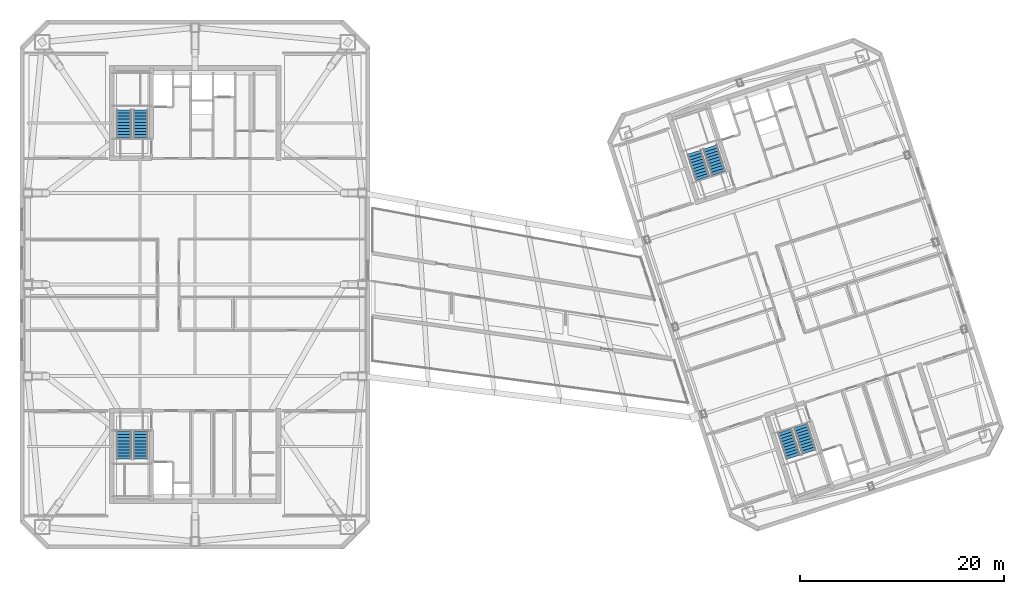
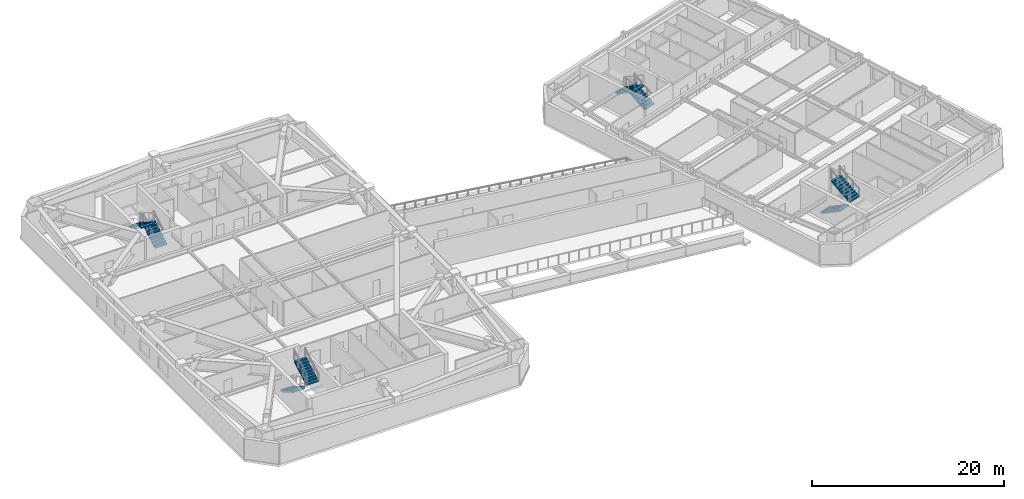
# One storey, part 12 of 18: 8 stair flights, 4 elements without a shape of their own.
"""IFC4 building model written with IfcOpenShell, lengths in metres."""

from ifc_helpers import new_model, si_unit, direction, frame, origin, place, context, subcontext, project, spatial, polyline, outline, extrude, material, type_object, element, aggregate, save


model = new_model("IFC4")

# Units and contexts
model_context = context("Model", 3, precision=1e-05, world=origin(), true_north=direction((0.0, 1.0)))
body_context = subcontext(model_context, "Body", "Model", "MODEL_VIEW")
ifc_project = project(units=[si_unit("LENGTHUNIT", "METRE"), si_unit("AREAUNIT", "SQUARE_METRE"), si_unit("VOLUMEUNIT", "CUBIC_METRE"), si_unit("PLANEANGLEUNIT", "RADIAN"), si_unit("MASSUNIT", "GRAM", prefix="KILO")], contexts=[model_context])

# Site, building, storey
site_placement = place(None, origin())
site = spatial("IfcSite", under=ifc_project, at=site_placement, CompositionType="ELEMENT")
building_placement = place(site_placement, origin())
building = spatial("IfcBuilding", under=site, at=building_placement, Name="Qiaolan Cultural Towers", CompositionType="ELEMENT")
storey_placement = place(building_placement, frame((0.0, 0.0, 219.64990234375)))
storey = spatial("IfcBuildingStorey", under=building, at=storey_placement, Name="L59", CompositionType="ELEMENT", Elevation=219.64990234375)

# Stair, stair flights
ifc_material_1 = material(Name="Concrete C45", Category="concrete")
stair_type = type_object("IfcStairType", Name="STR-CORE-1500", PredefinedType="HALF_TURN_STAIR", material=ifc_material_1)
stair_1_placement = place(storey_placement, origin())
stair_1 = element("IfcStair", 1, at=stair_1_placement, inside=storey, type_object=stair_type, Name="L59 Smokeproof Exit Stair ST-W1", PredefinedType="HALF_TURN_STAIR")
ifc_material_2 = material(Name="Concrete C45", Category="concrete")
stair_flight_type = type_object("IfcStairFlightType", Name="STR-CORE-1500-FL", PredefinedType="STRAIGHT", material=ifc_material_2)
stair_flight_1_placement = place(storey_placement, frame((23.02001953125, 19.550048828125, 0.0), z_axis=(0.0, 0.0, 1.0), x_axis=(0.0, -1.0, 0.0)))
stair_flight_1 = element("IfcStairFlight", 2, at=stair_flight_1_placement, type_object=stair_flight_type, Name="ST-W1 flight 1", NumberOfRisers=10, NumberOfTreads=9, PredefinedType="STRAIGHT", RiserHeight=0.1725, TreadLength=0.3, context=body_context, shape_type="SweptSolid", body=[
    extrude(outline(polyline([(0.0, 0.0), (0.0, 0.172607421875), (0.300048828125, 0.172607421875), (0.300048828125, 0.344970703125), (0.60009765625, 0.344970703125), (0.60009765625, 0.517578125), (0.89990234375, 0.517578125), (0.89990234375, 0.68994140625), (1.199951171875, 0.68994140625), (1.199951171875, 0.862548828125), (1.5, 0.862548828125), (1.5, 1.034912109375), (1.800048828125, 1.034912109375), (1.800048828125, 1.20751953125), (2.10009765625, 1.20751953125), (2.10009765625, 1.3798828125), (2.39990234375, 1.3798828125), (2.39990234375, 1.552490234375), (2.699951171875, 1.552490234375), (2.699951171875, 1.72509765625), (2.699951171875, 1.379638671875), (0.30078125, 0.0), (0.0, 0.0)])), frame((0.0, 0.719970703125, 0.0), z_axis=(0.0, -1.0, 0.0), x_axis=(1.0, 0.0, 0.0)), (0.0, 0.0, 1.0), 1.43994140625),
])
stair_flight_2_placement = place(storey_placement, frame((24.659912109375, 16.85009765625, 1.72509765625), z_axis=(0.0, 0.0, 1.0), x_axis=(0.0, 1.0, 0.0)))
stair_flight_2 = element("IfcStairFlight", 3, at=stair_flight_2_placement, type_object=stair_flight_type, Name="ST-W1 flight 2", NumberOfRisers=10, NumberOfTreads=9, PredefinedType="STRAIGHT", RiserHeight=0.1725, TreadLength=0.3, context=body_context, shape_type="SweptSolid", body=[
    extrude(outline(polyline([(0.0, 0.0), (0.0, 0.172607421875), (0.300048828125, 0.172607421875), (0.300048828125, 0.344970703125), (0.60009765625, 0.344970703125), (0.60009765625, 0.517578125), (0.89990234375, 0.517578125), (0.89990234375, 0.68994140625), (1.199951171875, 0.68994140625), (1.199951171875, 0.862548828125), (1.5, 0.862548828125), (1.5, 1.034912109375), (1.800048828125, 1.034912109375), (1.800048828125, 1.20751953125), (2.10009765625, 1.20751953125), (2.10009765625, 1.3798828125), (2.39990234375, 1.3798828125), (2.39990234375, 1.552490234375), (2.699951171875, 1.552490234375), (2.699951171875, 1.72509765625), (2.699951171875, 1.379638671875), (0.30078125, 0.0), (0.0, 0.0)])), frame((0.0, 0.719970703125, 0.0), z_axis=(0.0, -1.0, 0.0), x_axis=(1.0, 0.0, 0.0)), (0.0, 0.0, 1.0), 1.43994140625),
])
aggregate(stair_1, [stair_flight_1, stair_flight_2])

stair_2_placement = place(storey_placement, origin())
stair_2 = element("IfcStair", 4, at=stair_2_placement, inside=storey, type_object=stair_type, Name="L59 Smokeproof Exit Stair ST-W2", PredefinedType="HALF_TURN_STAIR")
stair_flight_3_placement = place(storey_placement, frame((24.659912109375, 48.449951171875, 0.0), z_axis=(0.0, 0.0, 1.0), x_axis=(0.0, 1.0, 0.0)))
stair_flight_3 = element("IfcStairFlight", 5, at=stair_flight_3_placement, type_object=stair_flight_type, Name="ST-W2 flight 1", NumberOfRisers=10, NumberOfTreads=9, PredefinedType="STRAIGHT", RiserHeight=0.1725, TreadLength=0.3, context=body_context, shape_type="SweptSolid", body=[
    extrude(outline(polyline([(0.0, 0.0), (0.0, 0.172607421875), (0.300048828125, 0.172607421875), (0.300048828125, 0.344970703125), (0.60009765625, 0.344970703125), (0.60009765625, 0.517578125), (0.89990234375, 0.517578125), (0.89990234375, 0.68994140625), (1.199951171875, 0.68994140625), (1.199951171875, 0.862548828125), (1.5, 0.862548828125), (1.5, 1.034912109375), (1.800048828125, 1.034912109375), (1.800048828125, 1.20751953125), (2.10009765625, 1.20751953125), (2.10009765625, 1.3798828125), (2.39990234375, 1.3798828125), (2.39990234375, 1.552490234375), (2.699951171875, 1.552490234375), (2.699951171875, 1.72509765625), (2.699951171875, 1.379638671875), (0.30078125, 0.0), (0.0, 0.0)])), frame((0.0, 0.719970703125, 0.0), z_axis=(0.0, -1.0, 0.0), x_axis=(1.0, 0.0, 0.0)), (0.0, 0.0, 1.0), 1.43994140625),
])
stair_flight_4_placement = place(storey_placement, frame((23.02001953125, 51.14990234375, 1.72509765625), z_axis=(0.0, 0.0, 1.0), x_axis=(0.0, -1.0, 0.0)))
stair_flight_4 = element("IfcStairFlight", 6, at=stair_flight_4_placement, type_object=stair_flight_type, Name="ST-W2 flight 2", NumberOfRisers=10, NumberOfTreads=9, PredefinedType="STRAIGHT", RiserHeight=0.1725, TreadLength=0.3, context=body_context, shape_type="SweptSolid", body=[
    extrude(outline(polyline([(0.0, 0.0), (0.0, 0.172607421875), (0.300048828125, 0.172607421875), (0.300048828125, 0.344970703125), (0.60009765625, 0.344970703125), (0.60009765625, 0.517578125), (0.89990234375, 0.517578125), (0.89990234375, 0.68994140625), (1.199951171875, 0.68994140625), (1.199951171875, 0.862548828125), (1.5, 0.862548828125), (1.5, 1.034912109375), (1.800048828125, 1.034912109375), (1.800048828125, 1.20751953125), (2.10009765625, 1.20751953125), (2.10009765625, 1.3798828125), (2.39990234375, 1.3798828125), (2.39990234375, 1.552490234375), (2.699951171875, 1.552490234375), (2.699951171875, 1.72509765625), (2.699951171875, 1.379638671875), (0.30078125, 0.0), (0.0, 0.0)])), frame((0.0, 0.719970703125, 0.0), z_axis=(0.0, -1.0, 0.0), x_axis=(1.0, 0.0, 0.0)), (0.0, 0.0, 1.0), 1.43994140625),
])
aggregate(stair_2, [stair_flight_3, stair_flight_4])

stair_3_placement = place(storey_placement, origin())
stair_3 = element("IfcStair", 7, at=stair_3_placement, inside=storey, type_object=stair_type, Name="L59 Smokeproof Exit Stair ST-E1", PredefinedType="HALF_TURN_STAIR")
stair_flight_5_placement = place(storey_placement, frame((87.96484375, 19.6171875, 0.0), z_axis=(0.0, 0.0, 1.0), x_axis=(0.309016994375, -0.951056516295, 0.0)))
stair_flight_5 = element("IfcStairFlight", 8, at=stair_flight_5_placement, type_object=stair_flight_type, Name="ST-E1 flight 1", NumberOfRisers=10, NumberOfTreads=9, PredefinedType="STRAIGHT", RiserHeight=0.1725, TreadLength=0.3, context=body_context, shape_type="SweptSolid", body=[
    extrude(outline(polyline([(0.0, 0.0), (0.0, 0.172607421875), (0.300048828125, 0.172607421875), (0.300048828125, 0.344970703125), (0.60009765625, 0.344970703125), (0.60009765625, 0.517578125), (0.89990234375, 0.517578125), (0.89990234375, 0.68994140625), (1.199951171875, 0.68994140625), (1.199951171875, 0.862548828125), (1.5, 0.862548828125), (1.5, 1.034912109375), (1.800048828125, 1.034912109375), (1.800048828125, 1.20751953125), (2.10009765625, 1.20751953125), (2.10009765625, 1.3798828125), (2.39990234375, 1.3798828125), (2.39990234375, 1.552490234375), (2.699951171875, 1.552490234375), (2.699951171875, 1.72509765625), (2.699951171875, 1.379638671875), (0.30078125, 0.0), (0.0, 0.0)])), frame((0.0, 0.719970703125, 0.0), z_axis=(0.0, -1.0, 0.0), x_axis=(1.0, 0.0, 0.0)), (0.0, 0.0, 1.0), 1.43994140625),
])
stair_flight_6_placement = place(storey_placement, frame((90.359130859375, 17.55615234375, 1.72509765625), z_axis=(0.0, 0.0, 1.0), x_axis=(-0.309016994375, 0.951056516295, 0.0)))
stair_flight_6 = element("IfcStairFlight", 9, at=stair_flight_6_placement, type_object=stair_flight_type, Name="ST-E1 flight 2", NumberOfRisers=10, NumberOfTreads=9, PredefinedType="STRAIGHT", RiserHeight=0.1725, TreadLength=0.3, context=body_context, shape_type="SweptSolid", body=[
    extrude(outline(polyline([(0.0, 0.0), (0.0, 0.172607421875), (0.300048828125, 0.172607421875), (0.300048828125, 0.344970703125), (0.60009765625, 0.344970703125), (0.60009765625, 0.517578125), (0.89990234375, 0.517578125), (0.89990234375, 0.68994140625), (1.199951171875, 0.68994140625), (1.199951171875, 0.862548828125), (1.5, 0.862548828125), (1.5, 1.034912109375), (1.800048828125, 1.034912109375), (1.800048828125, 1.20751953125), (2.10009765625, 1.20751953125), (2.10009765625, 1.3798828125), (2.39990234375, 1.3798828125), (2.39990234375, 1.552490234375), (2.699951171875, 1.552490234375), (2.699951171875, 1.72509765625), (2.699951171875, 1.379638671875), (0.30078125, 0.0), (0.0, 0.0)])), frame((0.0, 0.719970703125, 0.0), z_axis=(0.0, -1.0, 0.0), x_axis=(1.0, 0.0, 0.0)), (0.0, 0.0, 1.0), 1.43994140625),
])
aggregate(stair_3, [stair_flight_5, stair_flight_6])

stair_4_placement = place(storey_placement, origin())
stair_4 = element("IfcStair", 10, at=stair_4_placement, inside=storey, type_object=stair_type, Name="L59 Smokeproof Exit Stair ST-E2", PredefinedType="HALF_TURN_STAIR")
stair_flight_7_placement = place(storey_placement, frame((81.459228515625, 44.946533203125, 0.0), z_axis=(0.0, 0.0, 1.0), x_axis=(-0.309016994375, 0.951056516295, 0.0)))
stair_flight_7 = element("IfcStairFlight", 11, at=stair_flight_7_placement, type_object=stair_flight_type, Name="ST-E2 flight 1", NumberOfRisers=10, NumberOfTreads=9, PredefinedType="STRAIGHT", RiserHeight=0.1725, TreadLength=0.3, context=body_context, shape_type="SweptSolid", body=[
    extrude(outline(polyline([(0.0, 0.0), (0.0, 0.172607421875), (0.300048828125, 0.172607421875), (0.300048828125, 0.344970703125), (0.60009765625, 0.344970703125), (0.60009765625, 0.517578125), (0.89990234375, 0.517578125), (0.89990234375, 0.68994140625), (1.199951171875, 0.68994140625), (1.199951171875, 0.862548828125), (1.5, 0.862548828125), (1.5, 1.034912109375), (1.800048828125, 1.034912109375), (1.800048828125, 1.20751953125), (2.10009765625, 1.20751953125), (2.10009765625, 1.3798828125), (2.39990234375, 1.3798828125), (2.39990234375, 1.552490234375), (2.699951171875, 1.552490234375), (2.699951171875, 1.72509765625), (2.699951171875, 1.379638671875), (0.30078125, 0.0), (0.0, 0.0)])), frame((0.0, 0.719970703125, 0.0), z_axis=(0.0, -1.0, 0.0), x_axis=(1.0, 0.0, 0.0)), (0.0, 0.0, 1.0), 1.43994140625),
])
stair_flight_8_placement = place(storey_placement, frame((79.065185546875, 47.007568359375, 1.72509765625), z_axis=(0.0, 0.0, 1.0), x_axis=(0.309016994375, -0.951056516295, 0.0)))
stair_flight_8 = element("IfcStairFlight", 12, at=stair_flight_8_placement, type_object=stair_flight_type, Name="ST-E2 flight 2", NumberOfRisers=10, NumberOfTreads=9, PredefinedType="STRAIGHT", RiserHeight=0.1725, TreadLength=0.3, context=body_context, shape_type="SweptSolid", body=[
    extrude(outline(polyline([(0.0, 0.0), (0.0, 0.172607421875), (0.300048828125, 0.172607421875), (0.300048828125, 0.344970703125), (0.60009765625, 0.344970703125), (0.60009765625, 0.517578125), (0.89990234375, 0.517578125), (0.89990234375, 0.68994140625), (1.199951171875, 0.68994140625), (1.199951171875, 0.862548828125), (1.5, 0.862548828125), (1.5, 1.034912109375), (1.800048828125, 1.034912109375), (1.800048828125, 1.20751953125), (2.10009765625, 1.20751953125), (2.10009765625, 1.3798828125), (2.39990234375, 1.3798828125), (2.39990234375, 1.552490234375), (2.699951171875, 1.552490234375), (2.699951171875, 1.72509765625), (2.699951171875, 1.379638671875), (0.30078125, 0.0), (0.0, 0.0)])), frame((0.0, 0.719970703125, 0.0), z_axis=(0.0, -1.0, 0.0), x_axis=(1.0, 0.0, 0.0)), (0.0, 0.0, 1.0), 1.43994140625),
])
aggregate(stair_4, [stair_flight_7, stair_flight_8])

save(model, "model.ifc")
